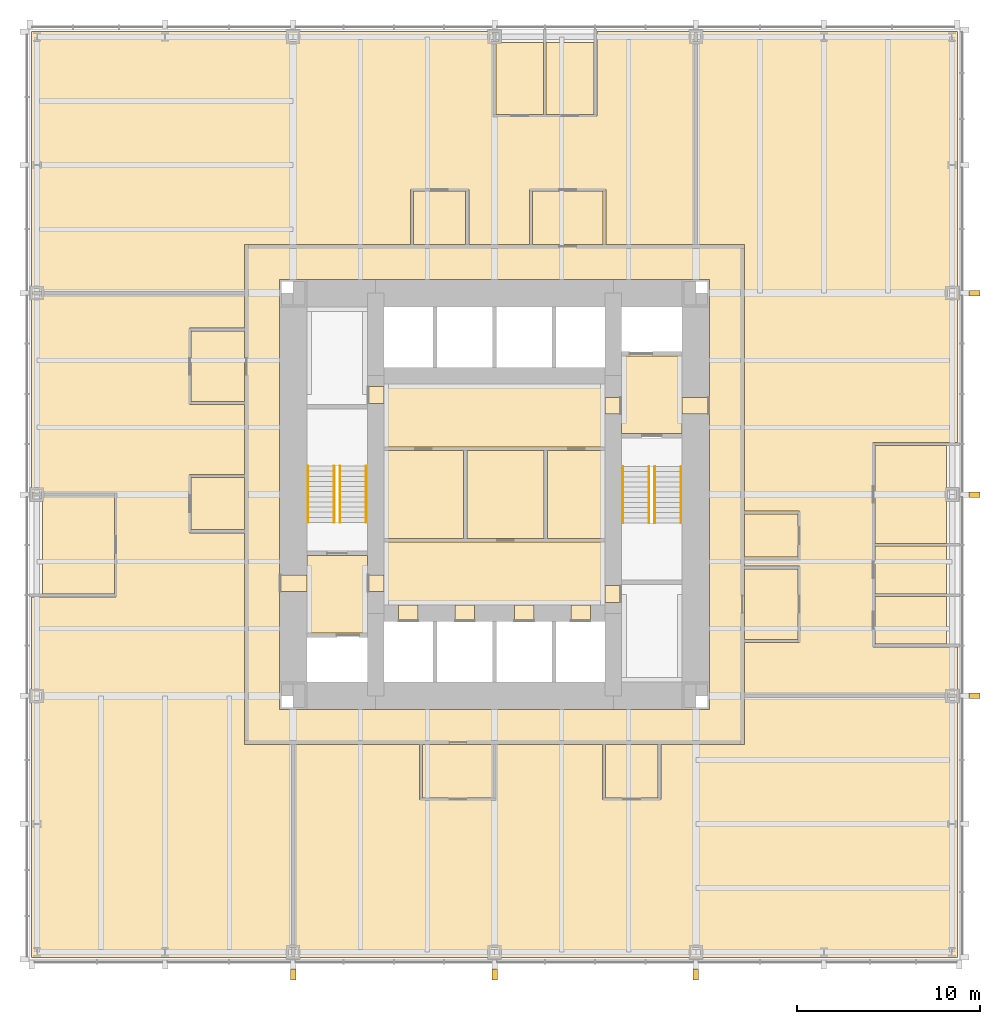
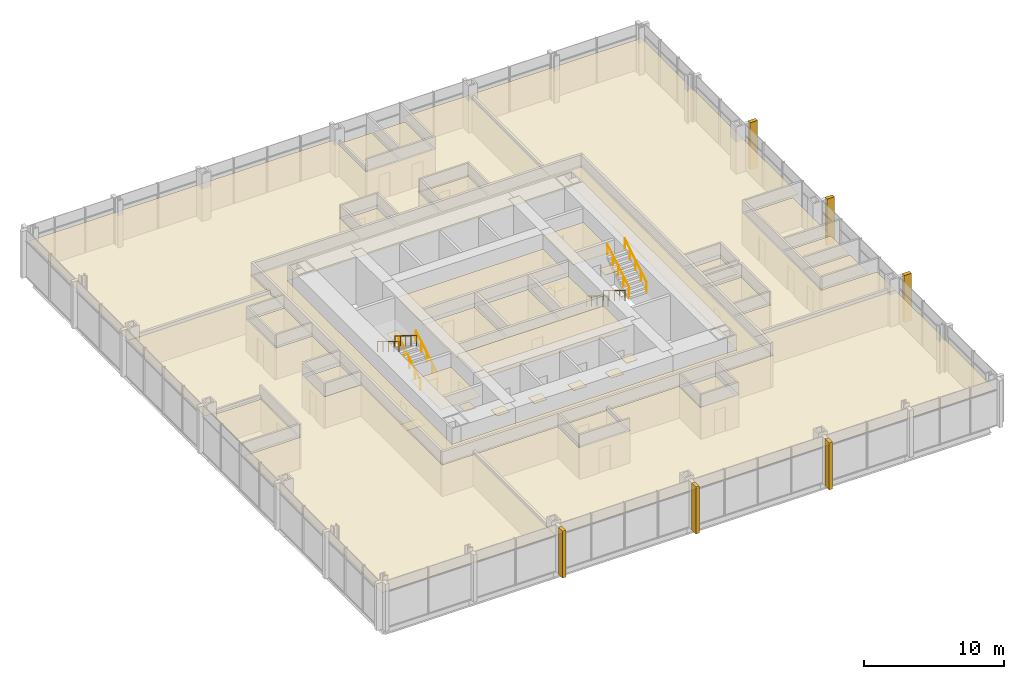
# One storey, part 12 of 12: 42 coverings, 8 railings.
"""IFC4 building model written with IfcOpenShell, lengths in metres."""

from ifc_helpers import new_model, si_unit, direction, frame, origin, origin_2d, place, context, subcontext, project, spatial, polyline, rectangle, circle, outline, extrude, material, layer, layer_set, type_object, element, save


model = new_model("IFC4")

# Units and contexts
model_context = context("Model", 3, precision=1e-05, world=origin(), true_north=direction((0.0, 1.0)))
body_context = subcontext(model_context, "Body", "Model", "MODEL_VIEW")
ifc_project = project(units=[si_unit("LENGTHUNIT", "METRE"), si_unit("AREAUNIT", "SQUARE_METRE"), si_unit("VOLUMEUNIT", "CUBIC_METRE"), si_unit("PLANEANGLEUNIT", "RADIAN"), si_unit("MASSUNIT", "GRAM", prefix="KILO")], contexts=[model_context])

# Site, building, storey
site_placement = place(None, origin())
site = spatial("IfcSite", under=ifc_project, at=site_placement, CompositionType="ELEMENT")
building_placement = place(site_placement, origin())
building = spatial("IfcBuilding", under=site, at=building_placement, Name="Trevanion Tower", CompositionType="ELEMENT")
storey_placement = place(building_placement, frame((0.0, 0.0, 28.300048828125)))
storey = spatial("IfcBuildingStorey", under=building, at=storey_placement, Name="L06", CompositionType="ELEMENT", Elevation=28.300048828125)

# Coverings
ifc_material_1 = material(Name="Fibrous plaster coffers on suspended steel grid", Category="steel")
ifc_layer_1 = layer(ifc_material_1, 0.050048828125)
ifc_layer_set_1 = layer_set([ifc_layer_1], Name="CL1 coffered fibrous plaster ceiling 50")
covering_type_1 = type_object("IfcCoveringType", Name="CL1 coffered fibrous plaster ceiling 50", PredefinedType="CEILING", material=ifc_layer_set_1)
covering_1_placement = place(storey_placement, frame((0.0, 0.0, 3.0)))
element("IfcCovering", 1, at=covering_1_placement, inside=storey, type_object=covering_type_1, Name="CL1 L06-LBS", PredefinedType="CEILING", context=body_context, shape_type="SweptSolid", body=[
    extrude(outline(polyline([(6.050048828125, -6.050048828125), (6.050048828125, -2.60009765625), (-6.050048828125, -2.60009765625), (-6.050048828125, -6.050048828125), (6.050048828125, -6.050048828125)])), origin(), (0.0, 0.0, 1.0), 0.050048828125),
])
ifc_material_2 = material(Name="Mineral fibre acoustic tiles in exposed grid", Category="mineral fibre")
ifc_layer_2 = layer(ifc_material_2, 0.02001953125)
ifc_layer_set_2 = layer_set([ifc_layer_2], Name="CL2 acoustic tile ceiling 20")
covering_type_2 = type_object("IfcCoveringType", Name="CL2 acoustic tile ceiling 20", PredefinedType="CEILING", material=ifc_layer_set_2)
covering_2_placement = place(storey_placement, frame((0.0, 0.0, 2.75)))
element("IfcCovering", 2, at=covering_2_placement, inside=storey, type_object=covering_type_2, Name="CL2 L06-LBN", PredefinedType="CEILING", context=body_context, shape_type="SweptSolid", body=[
    extrude(outline(polyline([(6.050048828125, 2.60009765625), (6.050048828125, 6.050048828125), (-6.050048828125, 6.050048828125), (-6.050048828125, 2.60009765625), (6.050048828125, 2.60009765625)])), origin(), (0.0, 0.0, 1.0), 0.02001953125),
])
covering_3_placement = place(storey_placement, frame((0.0, 0.0, 2.75)))
element("IfcCovering", 3, at=covering_3_placement, inside=storey, type_object=covering_type_2, Name="CL2 L06-CO", PredefinedType="CEILING", context=body_context, shape_type="SweptSolid", body=[
    extrude(outline(polyline([(-13.550048828125, 13.550048828125), (13.550048828125, 13.550048828125), (13.550048828125, -13.550048828125), (-13.550048828125, -13.550048828125), (-13.550048828125, 13.550048828125)]), holes=[polyline([(-11.75, 11.75), (-11.75, -11.75), (11.75, -11.75), (11.75, 11.75), (-11.75, 11.75)])]), origin(), (0.0, 0.0, 1.0), 0.02001953125),
])
covering_4_placement = place(storey_placement, frame((0.0, 0.0, 2.75)))
element("IfcCovering", 4, at=covering_4_placement, inside=storey, type_object=covering_type_2, Name="CL2 L06-OF", PredefinedType="CEILING", context=body_context, shape_type="SweptSolid", body=[
    extrude(outline(polyline([(20.77490234375, -8.175048828125), (20.77490234375, -5.574951171875), (24.699951171875, -5.574951171875), (24.699951171875, -8.175048828125), (20.77490234375, -8.175048828125)])), origin(), (0.0, 0.0, 1.0), 0.02001953125),
])
covering_5_placement = place(storey_placement, frame((0.0, 0.0, 2.75)))
element("IfcCovering", 5, at=covering_5_placement, inside=storey, type_object=covering_type_2, Name="CL2 L06-OF2", PredefinedType="CEILING", context=body_context, shape_type="SweptSolid", body=[
    extrude(outline(polyline([(20.77490234375, -5.425048828125), (20.77490234375, -2.824951171875), (24.699951171875, -2.824951171875), (24.699951171875, -5.425048828125), (20.77490234375, -5.425048828125)])), origin(), (0.0, 0.0, 1.0), 0.02001953125),
])
covering_6_placement = place(storey_placement, frame((0.0, 0.0, 2.75)))
element("IfcCovering", 6, at=covering_6_placement, inside=storey, type_object=covering_type_2, Name="CL2 L06-MR", PredefinedType="CEILING", context=body_context, shape_type="SweptSolid", body=[
    extrude(outline(polyline([(20.77490234375, -2.675048828125), (20.77490234375, 2.675048828125), (24.699951171875, 2.675048828125), (24.699951171875, -2.675048828125), (20.77490234375, -2.675048828125)])), origin(), (0.0, 0.0, 1.0), 0.02001953125),
])
covering_7_placement = place(storey_placement, frame((0.0, 0.0, 2.75)))
element("IfcCovering", 7, at=covering_7_placement, inside=storey, type_object=covering_type_2, Name="CL2 L06-OF3", PredefinedType="CEILING", context=body_context, shape_type="SweptSolid", body=[
    extrude(outline(polyline([(5.425048828125, 20.77490234375), (2.824951171875, 20.77490234375), (2.824951171875, 24.699951171875), (5.425048828125, 24.699951171875), (5.425048828125, 20.77490234375)])), origin(), (0.0, 0.0, 1.0), 0.02001953125),
])
covering_8_placement = place(storey_placement, frame((0.0, 0.0, 2.75)))
element("IfcCovering", 8, at=covering_8_placement, inside=storey, type_object=covering_type_2, Name="CL2 L06-OF4", PredefinedType="CEILING", context=body_context, shape_type="SweptSolid", body=[
    extrude(outline(polyline([(2.675048828125, 20.77490234375), (0.074951171875, 20.77490234375), (0.074951171875, 24.699951171875), (2.675048828125, 24.699951171875), (2.675048828125, 20.77490234375)])), origin(), (0.0, 0.0, 1.0), 0.02001953125),
])
covering_9_placement = place(storey_placement, frame((0.0, 0.0, 2.75)))
element("IfcCovering", 9, at=covering_9_placement, inside=storey, type_object=covering_type_2, Name="CL2 L06-MR2", PredefinedType="CEILING", context=body_context, shape_type="SweptSolid", body=[
    extrude(outline(polyline([(-20.77490234375, -0.074951171875), (-20.77490234375, -5.425048828125), (-24.699951171875, -5.425048828125), (-24.699951171875, -0.074951171875), (-20.77490234375, -0.074951171875)])), origin(), (0.0, 0.0, 1.0), 0.02001953125),
])
covering_10_placement = place(storey_placement, frame((0.0, 0.0, 2.75)))
element("IfcCovering", 10, at=covering_10_placement, inside=storey, type_object=covering_type_2, Name="CL2 L06-RC", PredefinedType="CEILING", context=body_context, shape_type="SweptSolid", body=[
    extrude(outline(polyline([(13.64990234375, -7.925048828125), (13.64990234375, -4.074951171875), (16.574951171875, -4.074951171875), (16.574951171875, -7.925048828125), (13.64990234375, -7.925048828125)])), origin(), (0.0, 0.0, 1.0), 0.02001953125),
])
covering_11_placement = place(storey_placement, frame((0.0, 0.0, 2.75)))
element("IfcCovering", 11, at=covering_11_placement, inside=storey, type_object=covering_type_2, Name="CL2 L06-RC2", PredefinedType="CEILING", context=body_context, shape_type="SweptSolid", body=[
    extrude(outline(polyline([(5.925048828125, 13.64990234375), (2.074951171875, 13.64990234375), (2.074951171875, 16.574951171875), (5.925048828125, 16.574951171875), (5.925048828125, 13.64990234375)])), origin(), (0.0, 0.0, 1.0), 0.02001953125),
])
covering_12_placement = place(storey_placement, frame((0.0, 0.0, 2.75)))
element("IfcCovering", 12, at=covering_12_placement, inside=storey, type_object=covering_type_2, Name="CL2 L06-RC3", PredefinedType="CEILING", context=body_context, shape_type="SweptSolid", body=[
    extrude(outline(polyline([(-13.64990234375, 8.925048828125), (-13.64990234375, 5.074951171875), (-16.574951171875, 5.074951171875), (-16.574951171875, 8.925048828125), (-13.64990234375, 8.925048828125)])), origin(), (0.0, 0.0, 1.0), 0.02001953125),
])
covering_13_placement = place(storey_placement, frame((0.0, 0.0, 2.75)))
element("IfcCovering", 13, at=covering_13_placement, inside=storey, type_object=covering_type_2, Name="CL2 L06-RC4", PredefinedType="CEILING", context=body_context, shape_type="SweptSolid", body=[
    extrude(outline(polyline([(-3.925048828125, -13.64990234375), (-0.074951171875, -13.64990234375), (-0.074951171875, -16.574951171875), (-3.925048828125, -16.574951171875), (-3.925048828125, -13.64990234375)])), origin(), (0.0, 0.0, 1.0), 0.02001953125),
])
covering_14_placement = place(storey_placement, frame((0.0, 0.0, 2.75)))
element("IfcCovering", 14, at=covering_14_placement, inside=storey, type_object=covering_type_2, Name="CL2 L06-OP", PredefinedType="CEILING", context=body_context, shape_type="SweptSolid", body=[
    extrude(outline(polyline([(13.64990234375, -8.094970703125), (16.669921875, -8.094970703125), (16.669921875, -3.905029296875), (13.64990234375, -3.905029296875), (13.64990234375, -3.594970703125), (16.669921875, -3.594970703125), (16.669921875, -0.905029296875), (13.64990234375, -0.905029296875), (13.64990234375, 13.64990234375), (11.0, 13.64990234375), (11.0, 25.300048828125), (25.300048828125, 25.300048828125), (25.300048828125, 2.844970703125), (20.679931640625, 2.844970703125), (20.679931640625, -8.344970703125), (25.300048828125, -8.344970703125), (25.300048828125, -11.0), (13.64990234375, -11.0), (13.64990234375, -8.094970703125)])), origin(), (0.0, 0.0, 1.0), 0.02001953125),
])
covering_15_placement = place(storey_placement, frame((0.0, 0.0, 2.75)))
element("IfcCovering", 15, at=covering_15_placement, inside=storey, type_object=covering_type_2, Name="CL2 L06-OP2", PredefinedType="CEILING", context=body_context, shape_type="SweptSolid", body=[
    extrude(outline(polyline([(6.094970703125, 13.64990234375), (6.094970703125, 16.669921875), (1.905029296875, 16.669921875), (1.905029296875, 13.64990234375), (-1.405029296875, 13.64990234375), (-1.405029296875, 16.669921875), (-4.594970703125, 16.669921875), (-4.594970703125, 13.64990234375), (-13.64990234375, 13.64990234375), (-13.64990234375, 11.0), (-25.300048828125, 11.0), (-25.300048828125, 25.300048828125), (-0.094970703125, 25.300048828125), (-0.094970703125, 20.679931640625), (5.594970703125, 20.679931640625), (5.594970703125, 25.300048828125), (11.0, 25.300048828125), (11.0, 13.64990234375), (6.094970703125, 13.64990234375)])), origin(), (0.0, 0.0, 1.0), 0.02001953125),
])
covering_16_placement = place(storey_placement, frame((0.0, 0.0, 2.75)))
element("IfcCovering", 16, at=covering_16_placement, inside=storey, type_object=covering_type_2, Name="CL2 L06-OP3", PredefinedType="CEILING", context=body_context, shape_type="SweptSolid", body=[
    extrude(outline(polyline([(-13.64990234375, 9.094970703125), (-16.669921875, 9.094970703125), (-16.669921875, 4.905029296875), (-13.64990234375, 4.905029296875), (-13.64990234375, 1.094970703125), (-16.669921875, 1.094970703125), (-16.669921875, -2.094970703125), (-13.64990234375, -2.094970703125), (-13.64990234375, -13.64990234375), (-11.0, -13.64990234375), (-11.0, -25.300048828125), (-25.300048828125, -25.300048828125), (-25.300048828125, -5.594970703125), (-20.679931640625, -5.594970703125), (-20.679931640625, 0.094970703125), (-25.300048828125, 0.094970703125), (-25.300048828125, 11.0), (-13.64990234375, 11.0), (-13.64990234375, 9.094970703125)])), origin(), (0.0, 0.0, 1.0), 0.02001953125),
])
covering_17_placement = place(storey_placement, frame((0.0, 0.0, 2.75)))
element("IfcCovering", 17, at=covering_17_placement, inside=storey, type_object=covering_type_2, Name="CL2 L06-OP4", PredefinedType="CEILING", context=body_context, shape_type="SweptSolid", body=[
    extrude(outline(polyline([(-4.094970703125, -13.64990234375), (-4.094970703125, -16.669921875), (0.094970703125, -16.669921875), (0.094970703125, -13.64990234375), (5.905029296875, -13.64990234375), (5.905029296875, -16.669921875), (9.094970703125, -16.669921875), (9.094970703125, -13.64990234375), (13.64990234375, -13.64990234375), (13.64990234375, -11.0), (25.300048828125, -11.0), (25.300048828125, -25.300048828125), (-11.0, -25.300048828125), (-11.0, -13.64990234375), (-4.094970703125, -13.64990234375)])), origin(), (0.0, 0.0, 1.0), 0.02001953125),
])
ifc_material_3 = material(Name="Gypsum plasterboard on suspended metal furring", Category="gypsum")
ifc_layer_3 = layer(ifc_material_3, 0.012939453125)
ifc_layer_set_3 = layer_set([ifc_layer_3], Name="CL3 plasterboard ceiling 13")
covering_type_3 = type_object("IfcCoveringType", Name="CL3 plasterboard ceiling 13", PredefinedType="CEILING", material=ifc_layer_set_3)
covering_18_placement = place(storey_placement, frame((0.0, 0.0, 2.699951171875)))
element("IfcCovering", 18, at=covering_18_placement, inside=storey, type_object=covering_type_3, Name="CL3 L06-FV1", PredefinedType="CEILING", context=body_context, shape_type="SweptSolid", body=[
    extrude(outline(polyline([(10.25, 3.324951171875), (10.25, 7.574951171875), (6.949951171875, 7.574951171875), (6.949951171875, 3.324951171875), (10.25, 3.324951171875)])), origin(), (0.0, 0.0, 1.0), 0.012939453125),
])
covering_19_placement = place(storey_placement, frame((0.0, 0.0, 2.699951171875)))
element("IfcCovering", 19, at=covering_19_placement, inside=storey, type_object=covering_type_3, Name="CL3 L06-FV2", PredefinedType="CEILING", context=body_context, shape_type="SweptSolid", body=[
    extrude(outline(polyline([(-10.25, -3.324951171875), (-10.25, -7.574951171875), (-6.949951171875, -7.574951171875), (-6.949951171875, -3.324951171875), (-10.25, -3.324951171875)])), origin(), (0.0, 0.0, 1.0), 0.012939453125),
])
ifc_material_4 = material(Name="Moisture-resistant gypsum board on suspended metal furring", Category="gypsum")
ifc_layer_4 = layer(ifc_material_4, 0.01611328125)
ifc_layer_set_4 = layer_set([ifc_layer_4], Name="CL4 moisture-resistant board ceiling 16")
covering_type_4 = type_object("IfcCoveringType", Name="CL4 moisture-resistant board ceiling 16", PredefinedType="CEILING", material=ifc_layer_set_4)
covering_20_placement = place(storey_placement, frame((0.0, 0.0, 2.599853515625)))
element("IfcCovering", 20, at=covering_20_placement, inside=storey, type_object=covering_type_4, Name="CL4 L06-WCF", PredefinedType="CEILING", context=body_context, shape_type="SweptSolid", body=[
    extrude(outline(polyline([(-1.699951171875, -2.39990234375), (-1.699951171875, 2.39990234375), (-6.050048828125, 2.39990234375), (-6.050048828125, -2.39990234375), (-1.699951171875, -2.39990234375)])), origin(), (0.0, 0.0, 1.0), 0.01611328125),
])
covering_21_placement = place(storey_placement, frame((0.0, 0.0, 2.599853515625)))
element("IfcCovering", 21, at=covering_21_placement, inside=storey, type_object=covering_type_4, Name="CL4 L06-WCM", PredefinedType="CEILING", context=body_context, shape_type="SweptSolid", body=[
    extrude(outline(polyline([(2.699951171875, -2.39990234375), (2.699951171875, 2.39990234375), (-1.5, 2.39990234375), (-1.5, -2.39990234375), (2.699951171875, -2.39990234375)])), origin(), (0.0, 0.0, 1.0), 0.01611328125),
])
covering_22_placement = place(storey_placement, frame((0.0, 0.0, 2.599853515625)))
element("IfcCovering", 22, at=covering_22_placement, inside=storey, type_object=covering_type_4, Name="CL4 L06-WCA", PredefinedType="CEILING", context=body_context, shape_type="SweptSolid", body=[
    extrude(outline(polyline([(6.050048828125, -2.39990234375), (6.050048828125, 2.39990234375), (2.89990234375, 2.39990234375), (2.89990234375, -2.39990234375), (6.050048828125, -2.39990234375)])), origin(), (0.0, 0.0, 1.0), 0.01611328125),
])
covering_23_placement = place(storey_placement, frame((0.0, 0.0, 2.599853515625)))
element("IfcCovering", 23, at=covering_23_placement, inside=storey, type_object=covering_type_4, Name="CL4 L06-PA", PredefinedType="CEILING", context=body_context, shape_type="SweptSolid", body=[
    extrude(outline(polyline([(13.64990234375, -3.425048828125), (13.64990234375, -1.074951171875), (16.574951171875, -1.074951171875), (16.574951171875, -3.425048828125), (13.64990234375, -3.425048828125)])), origin(), (0.0, 0.0, 1.0), 0.01611328125),
])
covering_24_placement = place(storey_placement, frame((0.0, 0.0, 2.599853515625)))
element("IfcCovering", 24, at=covering_24_placement, inside=storey, type_object=covering_type_4, Name="CL4 L06-PA2", PredefinedType="CEILING", context=body_context, shape_type="SweptSolid", body=[
    extrude(outline(polyline([(-1.574951171875, 13.64990234375), (-4.425048828125, 13.64990234375), (-4.425048828125, 16.574951171875), (-1.574951171875, 16.574951171875), (-1.574951171875, 13.64990234375)])), origin(), (0.0, 0.0, 1.0), 0.01611328125),
])
covering_25_placement = place(storey_placement, frame((0.0, 0.0, 2.599853515625)))
element("IfcCovering", 25, at=covering_25_placement, inside=storey, type_object=covering_type_4, Name="CL4 L06-PA3", PredefinedType="CEILING", context=body_context, shape_type="SweptSolid", body=[
    extrude(outline(polyline([(-13.64990234375, 0.925048828125), (-13.64990234375, -1.925048828125), (-16.574951171875, -1.925048828125), (-16.574951171875, 0.925048828125), (-13.64990234375, 0.925048828125)])), origin(), (0.0, 0.0, 1.0), 0.01611328125),
])
covering_26_placement = place(storey_placement, frame((0.0, 0.0, 2.599853515625)))
element("IfcCovering", 26, at=covering_26_placement, inside=storey, type_object=covering_type_4, Name="CL4 L06-PA4", PredefinedType="CEILING", context=body_context, shape_type="SweptSolid", body=[
    extrude(outline(polyline([(6.074951171875, -13.64990234375), (8.925048828125, -13.64990234375), (8.925048828125, -16.574951171875), (6.074951171875, -16.574951171875), (6.074951171875, -13.64990234375)])), origin(), (0.0, 0.0, 1.0), 0.01611328125),
])
ifc_material_5 = material(Name="Cast bronze fin on aluminium carrier", Category="aluminium")
covering_type_5 = type_object("IfcCoveringType", Name="F1 bronze fin", PredefinedType="CLADDING", material=ifc_material_5)
for number, where, z_axis, x_axis, name in (
    (27, (26.22509765625, -11.0, -0.190185546875), (0.0, 0.0, 1.0), (0.0, 1.0, 0.0), "F1 L06 east -11.0"),
    (28, (26.22509765625, 0.0, -0.190185546875), (0.0, 0.0, 1.0), (0.0, 1.0, 0.0), "F1 L06 east +0.0"),
    (29, (26.22509765625, 11.0, -0.190185546875), (0.0, 0.0, 1.0), (0.0, 1.0, 0.0), "F1 L06 east +11.0"),
    (30, (-11.0, -26.22509765625, -0.190185546875), (0.0, 0.0, 1.0), (1.0, 0.0, 0.0), "F1 L06 south -11.0"),
    (31, (0.0, -26.22509765625, -0.190185546875), (0.0, 0.0, 1.0), (1.0, 0.0, 0.0), "F1 L06 south +0.0"),
    (32, (11.0, -26.22509765625, -0.190185546875), (0.0, 0.0, 1.0), (1.0, 0.0, 0.0), "F1 L06 south +11.0"),
):
    element("IfcCovering", number, at=place(storey_placement, frame(where, z_axis=z_axis, x_axis=x_axis)), inside=storey, type_object=covering_type_5, Name=name, PredefinedType="CLADDING", context=body_context, shape_type="SweptSolid", body=[
        extrude(rectangle(XDim=0.300048828125, YDim=0.60009765625, at=origin_2d()), origin(), (0.0, 0.0, 1.0), 4.10009765625),
    ])
ifc_material_6 = material(Name="Terrazzo, brass divider strips", Category="stone")
ifc_layer_5 = layer(ifc_material_6, 0.02001953125)
ifc_layer_set_5 = layer_set([ifc_layer_5], Name="FF1 terrazzo flooring")
covering_type_6 = type_object("IfcCoveringType", Name="FF1 terrazzo flooring", PredefinedType="FLOORING", material=ifc_layer_set_5)
covering_27_placement = place(storey_placement, origin())
element("IfcCovering", 33, at=covering_27_placement, inside=storey, type_object=covering_type_6, Name="FF1 threshold 06-001", PredefinedType="FLOORING", context=body_context, shape_type="SweptSolid", body=[
    extrude(outline(polyline([(11.75, 4.392578125), (11.75, 5.3076171875), (10.25, 5.3076171875), (10.25, 4.392578125), (11.75, 4.392578125)])), origin(), (0.0, 0.0, 1.0), 0.02001953125),
])
covering_28_placement = place(storey_placement, origin())
element("IfcCovering", 34, at=covering_28_placement, inside=storey, type_object=covering_type_6, Name="FF1 threshold 06-002", PredefinedType="FLOORING", context=body_context, shape_type="SweptSolid", body=[
    extrude(outline(polyline([(-11.75, -4.392578125), (-11.75, -5.3076171875), (-10.25, -5.3076171875), (-10.25, -4.392578125), (-11.75, -4.392578125)])), origin(), (0.0, 0.0, 1.0), 0.02001953125),
])
covering_29_placement = place(storey_placement, origin())
element("IfcCovering", 35, at=covering_29_placement, inside=storey, type_object=covering_type_6, Name="FF1 threshold 06-003", PredefinedType="FLOORING", context=body_context, shape_type="SweptSolid", body=[
    extrude(outline(polyline([(6.949951171875, 4.392578125), (6.949951171875, 5.3076171875), (6.050048828125, 5.3076171875), (6.050048828125, 4.392578125), (6.949951171875, 4.392578125)])), origin(), (0.0, 0.0, 1.0), 0.02001953125),
])
covering_30_placement = place(storey_placement, origin())
element("IfcCovering", 36, at=covering_30_placement, inside=storey, type_object=covering_type_6, Name="FF1 threshold 06-004", PredefinedType="FLOORING", context=body_context, shape_type="SweptSolid", body=[
    extrude(outline(polyline([(-6.949951171875, -4.392578125), (-6.949951171875, -5.3076171875), (-6.050048828125, -5.3076171875), (-6.050048828125, -4.392578125), (-6.949951171875, -4.392578125)])), origin(), (0.0, 0.0, 1.0), 0.02001953125),
])
covering_31_placement = place(storey_placement, origin())
element("IfcCovering", 37, at=covering_31_placement, inside=storey, type_object=covering_type_6, Name="FF1 threshold 06-009", PredefinedType="FLOORING", context=body_context, shape_type="SweptSolid", body=[
    extrude(outline(polyline([(6.949951171875, -5.889892578125), (6.949951171875, -4.97509765625), (6.050048828125, -4.97509765625), (6.050048828125, -5.889892578125), (6.949951171875, -5.889892578125)])), origin(), (0.0, 0.0, 1.0), 0.02001953125),
])
covering_32_placement = place(storey_placement, origin())
element("IfcCovering", 38, at=covering_32_placement, inside=storey, type_object=covering_type_6, Name="FF1 threshold 06-010", PredefinedType="FLOORING", context=body_context, shape_type="SweptSolid", body=[
    extrude(outline(polyline([(-6.949951171875, 5.889892578125), (-6.949951171875, 4.97509765625), (-6.050048828125, 4.97509765625), (-6.050048828125, 5.889892578125), (-6.949951171875, 5.889892578125)])), origin(), (0.0, 0.0, 1.0), 0.02001953125),
])
covering_33_placement = place(storey_placement, origin())
element("IfcCovering", 39, at=covering_33_placement, inside=storey, type_object=covering_type_6, Name="FF1 threshold 06-011", PredefinedType="FLOORING", context=body_context, shape_type="SweptSolid", body=[
    extrude(outline(polyline([(-5.2333984375, -6.949951171875), (-4.16650390625, -6.949951171875), (-4.16650390625, -6.050048828125), (-5.2333984375, -6.050048828125), (-5.2333984375, -6.949951171875)])), origin(), (0.0, 0.0, 1.0), 0.02001953125),
])
covering_34_placement = place(storey_placement, origin())
element("IfcCovering", 40, at=covering_34_placement, inside=storey, type_object=covering_type_6, Name="FF1 threshold 06-012", PredefinedType="FLOORING", context=body_context, shape_type="SweptSolid", body=[
    extrude(outline(polyline([(-2.158447265625, -6.949951171875), (-1.091552734375, -6.949951171875), (-1.091552734375, -6.050048828125), (-2.158447265625, -6.050048828125), (-2.158447265625, -6.949951171875)])), origin(), (0.0, 0.0, 1.0), 0.02001953125),
])
covering_35_placement = place(storey_placement, origin())
element("IfcCovering", 41, at=covering_35_placement, inside=storey, type_object=covering_type_6, Name="FF1 threshold 06-013", PredefinedType="FLOORING", context=body_context, shape_type="SweptSolid", body=[
    extrude(outline(polyline([(1.091552734375, -6.949951171875), (2.158447265625, -6.949951171875), (2.158447265625, -6.050048828125), (1.091552734375, -6.050048828125), (1.091552734375, -6.949951171875)])), origin(), (0.0, 0.0, 1.0), 0.02001953125),
])
covering_36_placement = place(storey_placement, origin())
element("IfcCovering", 42, at=covering_36_placement, inside=storey, type_object=covering_type_6, Name="FF1 threshold 06-014", PredefinedType="FLOORING", context=body_context, shape_type="SweptSolid", body=[
    extrude(outline(polyline([(4.16650390625, -6.949951171875), (5.2333984375, -6.949951171875), (5.2333984375, -6.050048828125), (4.16650390625, -6.050048828125), (4.16650390625, -6.949951171875)])), origin(), (0.0, 0.0, 1.0), 0.02001953125),
])

# Railings
ifc_material_7 = material(Name="Stainless steel tube 40 mm", Category="steel")
railing_type = type_object("IfcRailingType", Name="HR1 handrail", PredefinedType="HANDRAIL", material=ifc_material_7)
for number, where, name in (
    (43, (7.010009765625, 1.52490234375, 0.170654296875), "HR1 ST1 L06 flight 1"),
    (44, (8.43994140625, 1.52490234375, 0.170654296875), "HR1 ST1 L06 flight 1"),
):
    element("IfcRailing", number, at=place(storey_placement, frame(where)), inside=storey, type_object=railing_type, Name=name, PredefinedType="HANDRAIL", context=body_context, shape_type="SweptSolid", body=[
        extrude(circle(Radius=0.02001953125, at=origin_2d()), frame((0.0, 0.0, 0.8798828125), z_axis=(0.0, -0.853617861917, 0.520899746416), x_axis=(1.0, 0.0, 0.0)), (0.0, 0.0, 1.0), 3.60791015625),
        extrude(circle(Radius=0.01513671875, at=origin_2d()), origin(), (0.0, 0.0, 1.0), 0.85986328125),
        extrude(circle(Radius=0.01513671875, at=origin_2d()), frame((0.0, -0.77001953125, 0.4697265625)), (0.0, 0.0, 1.0), 0.85986328125),
        extrude(circle(Radius=0.01513671875, at=origin_2d()), frame((0.0, -1.5400390625, 0.939697265625)), (0.0, 0.0, 1.0), 0.85986328125),
        extrude(circle(Radius=0.01513671875, at=origin_2d()), frame((0.0, -2.309814453125, 1.40966796875)), (0.0, 0.0, 1.0), 0.85986328125),
        extrude(circle(Radius=0.01513671875, at=origin_2d()), frame((0.0, -3.079833984375, 1.87939453125)), (0.0, 0.0, 1.0), 0.85986328125),
    ])
for number, where, name in (
    (45, (8.760009765625, -1.554931640625, 2.220703125), "HR1 ST1 L06 flight 2"),
    (46, (10.18994140625, -1.554931640625, 2.220703125), "HR1 ST1 L06 flight 2"),
):
    element("IfcRailing", number, at=place(storey_placement, frame(where)), inside=storey, type_object=railing_type, Name=name, PredefinedType="HANDRAIL", context=body_context, shape_type="SweptSolid", body=[
        extrude(circle(Radius=0.02001953125, at=origin_2d()), frame((0.0, 0.0, 0.8798828125), z_axis=(0.0, 0.853647949592, 0.520850437417), x_axis=(-1.0, 0.0, 0.0)), (0.0, 0.0, 1.0), 3.60791015625),
        extrude(circle(Radius=0.01513671875, at=origin_2d()), origin(), (0.0, 0.0, 1.0), 0.85986328125),
        extrude(circle(Radius=0.01513671875, at=origin_2d()), frame((0.0, 0.77001953125, 0.4697265625)), (0.0, 0.0, 1.0), 0.85986328125),
        extrude(circle(Radius=0.01513671875, at=origin_2d()), frame((0.0, 1.5400390625, 0.939453125)), (0.0, 0.0, 1.0), 0.85986328125),
        extrude(circle(Radius=0.01513671875, at=origin_2d()), frame((0.0, 2.309814453125, 1.409423828125)), (0.0, 0.0, 1.0), 0.85986328125),
        extrude(circle(Radius=0.01513671875, at=origin_2d()), frame((0.0, 3.079833984375, 1.879150390625)), (0.0, 0.0, 1.0), 0.85986328125),
    ])
for number, where, name in (
    (47, (-7.010009765625, -1.52490234375, 0.170654296875), "HR1 ST2 L06 flight 1"),
    (48, (-8.43994140625, -1.52490234375, 0.170654296875), "HR1 ST2 L06 flight 1"),
):
    element("IfcRailing", number, at=place(storey_placement, frame(where)), inside=storey, type_object=railing_type, Name=name, PredefinedType="HANDRAIL", context=body_context, shape_type="SweptSolid", body=[
        extrude(circle(Radius=0.02001953125, at=origin_2d()), frame((0.0, 0.0, 0.8798828125), z_axis=(0.0, 0.853617861917, 0.520899746416), x_axis=(-1.0, 0.0, 0.0)), (0.0, 0.0, 1.0), 3.60791015625),
        extrude(circle(Radius=0.01513671875, at=origin_2d()), origin(), (0.0, 0.0, 1.0), 0.85986328125),
        extrude(circle(Radius=0.01513671875, at=origin_2d()), frame((0.0, 0.77001953125, 0.4697265625)), (0.0, 0.0, 1.0), 0.85986328125),
        extrude(circle(Radius=0.01513671875, at=origin_2d()), frame((0.0, 1.5400390625, 0.939697265625)), (0.0, 0.0, 1.0), 0.85986328125),
        extrude(circle(Radius=0.01513671875, at=origin_2d()), frame((0.0, 2.309814453125, 1.40966796875)), (0.0, 0.0, 1.0), 0.85986328125),
        extrude(circle(Radius=0.01513671875, at=origin_2d()), frame((0.0, 3.079833984375, 1.87939453125)), (0.0, 0.0, 1.0), 0.85986328125),
    ])
for number, where, name in (
    (49, (-8.760009765625, 1.554931640625, 2.220703125), "HR1 ST2 L06 flight 2"),
    (50, (-10.18994140625, 1.554931640625, 2.220703125), "HR1 ST2 L06 flight 2"),
):
    element("IfcRailing", number, at=place(storey_placement, frame(where)), inside=storey, type_object=railing_type, Name=name, PredefinedType="HANDRAIL", context=body_context, shape_type="SweptSolid", body=[
        extrude(circle(Radius=0.02001953125, at=origin_2d()), frame((0.0, 0.0, 0.8798828125), z_axis=(0.0, -0.853647949592, 0.520850437417), x_axis=(1.0, 0.0, 0.0)), (0.0, 0.0, 1.0), 3.60791015625),
        extrude(circle(Radius=0.01513671875, at=origin_2d()), origin(), (0.0, 0.0, 1.0), 0.85986328125),
        extrude(circle(Radius=0.01513671875, at=origin_2d()), frame((0.0, -0.77001953125, 0.4697265625)), (0.0, 0.0, 1.0), 0.85986328125),
        extrude(circle(Radius=0.01513671875, at=origin_2d()), frame((0.0, -1.5400390625, 0.939453125)), (0.0, 0.0, 1.0), 0.85986328125),
        extrude(circle(Radius=0.01513671875, at=origin_2d()), frame((0.0, -2.309814453125, 1.409423828125)), (0.0, 0.0, 1.0), 0.85986328125),
        extrude(circle(Radius=0.01513671875, at=origin_2d()), frame((0.0, -3.079833984375, 1.879150390625)), (0.0, 0.0, 1.0), 0.85986328125),
    ])

save(model, "model.ifc")
